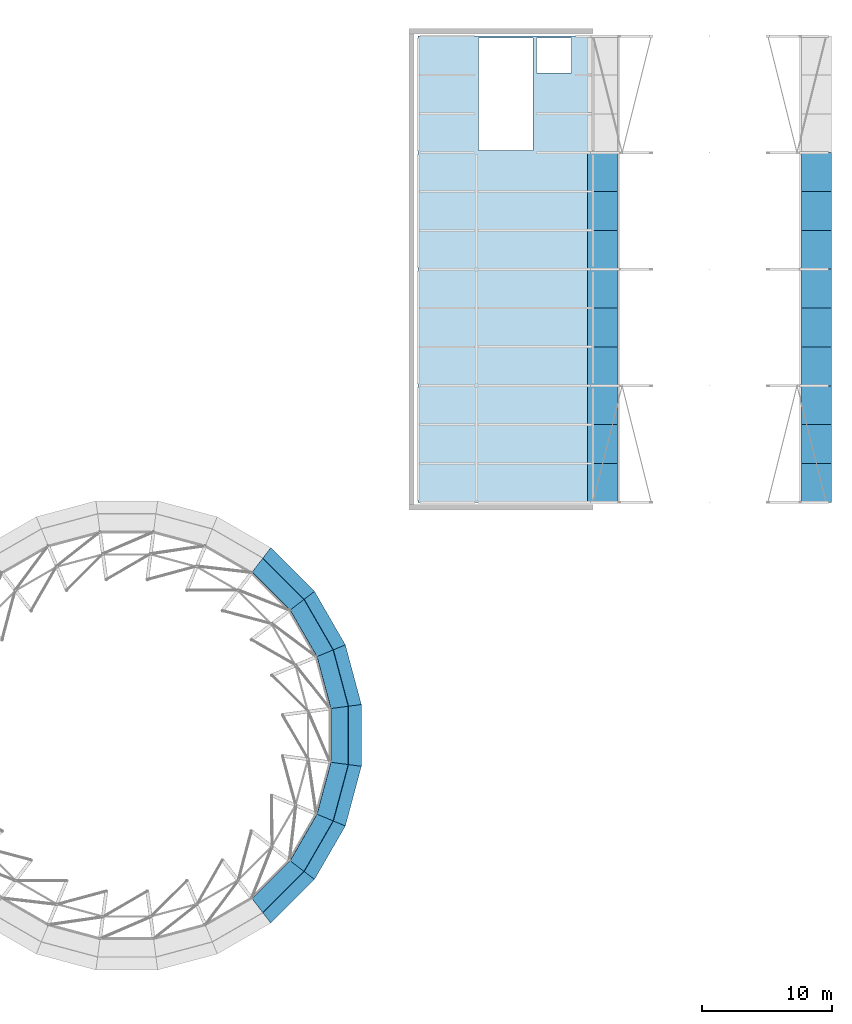
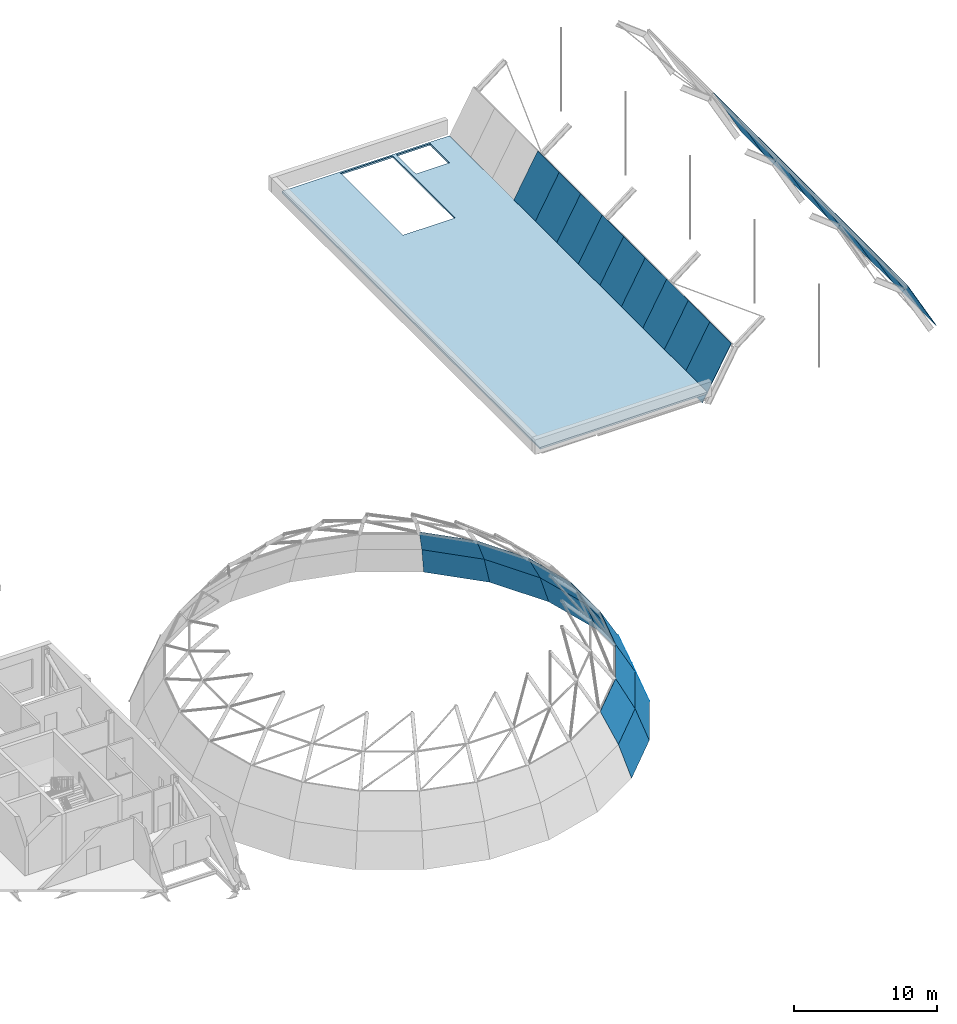
# One storey, part 30 of 62: 32 plates, 1 slab.
"""IFC4 building model written with IfcOpenShell, lengths in metres."""

from ifc_helpers import new_model, si_unit, direction, frame, origin, place, context, subcontext, project, spatial, polyline, outline, extrude, material, layer, layer_set, type_object, element, save


model = new_model("IFC4")

# Units and contexts
model_context = context("Model", 3, precision=1e-05, world=origin(), true_north=direction((0.0, 1.0)))
body_context = subcontext(model_context, "Body", "Model", "MODEL_VIEW")
ifc_project = project(units=[si_unit("LENGTHUNIT", "METRE"), si_unit("AREAUNIT", "SQUARE_METRE"), si_unit("VOLUMEUNIT", "CUBIC_METRE"), si_unit("PLANEANGLEUNIT", "RADIAN"), si_unit("MASSUNIT", "GRAM", prefix="KILO")], contexts=[model_context])

# Site, building, storey
site_placement = place(None, origin())
site = spatial("IfcSite", under=ifc_project, at=site_placement, CompositionType="ELEMENT")
building_placement = place(site_placement, origin())
building = spatial("IfcBuilding", under=site, at=building_placement, Name="Hortulan Conservatory and Botanical Research Centre", CompositionType="ELEMENT")
storey_placement = place(building_placement, frame((0.0, 0.0, 15.0)))
storey = spatial("IfcBuildingStorey", under=building, at=storey_placement, Name="L03", CompositionType="ELEMENT", Elevation=15.0)

# Plates
ifc_material_1 = material(Name="Low-e laminated glass", Category="glass")
ifc_layer_1 = layer(ifc_material_1, 0.030029296875)
ifc_layer_set_1 = layer_set([ifc_layer_1], Name="Dome Glazing Panel 30")
plate_type_1 = type_object("IfcPlateType", Name="Dome Glazing Panel 30", PredefinedType="SHEET", material=ifc_layer_set_1)
plate_1_placement = place(storey_placement, frame((72.114013671875, 20.384765625, -4.465576171875), z_axis=(0.903141987231, 0.242017154605, 0.354629733352), x_axis=(-0.258842152253, 0.965919634433, 5.90549e-06)))
element("IfcPlate", 1, at=plate_1_placement, inside=storey, type_object=plate_type_1, Name="Dome glazing panel", PredefinedType="SHEET", context=body_context, shape_type="SweptSolid", body=[
    extrude(outline(polyline([(0.0, 0.0), (4.769499088301798, -5.551115123125783e-17), (4.639265546523291, 2.79203130076673), (0.1304018144895492, 2.7920899027720325), (0.0, 0.0)])), origin(), (0.0, 0.0, -1.0), 0.030029296875),
])
plate_2_placement = place(storey_placement, frame((70.87939453125, 24.99169921875, -4.465576171875), z_axis=(0.809753337619, 0.467478600191, 0.354631203617), x_axis=(-0.499971321888, 0.866041960435, -7.435214e-06)))
element("IfcPlate", 2, at=plate_2_placement, inside=storey, type_object=plate_type_1, Name="Dome glazing panel", PredefinedType="SHEET", context=body_context, shape_type="SweptSolid", body=[
    extrude(outline(polyline([(0.0, 0.0), (4.769478473994549, 1.1102230246251565e-16), (4.639200867701932, 2.792099158679018), (0.1303604620591359, 2.792025377052627), (0.0, 0.0)])), origin(), (0.0, 0.0, -1.0), 0.030029296875),
])
for number, where, z_axis, x_axis, name in (
    (3, (68.494873046875, 29.122314453125, -4.465576171875), (0.661143112172, 0.661143112172, 0.354654156123), (-0.707106781187, 0.707106781187, 0.0), "Dome glazing panel"),
    (4, (65.122314453125, 3.505126953125, -4.465576171875), (0.661143112172, -0.661143112172, 0.354654156123), (0.707106781187, 0.707106781187, 0.0), "Dome glazing panel"),
):
    element("IfcPlate", number, at=place(storey_placement, frame(where, z_axis=z_axis, x_axis=x_axis)), inside=storey, type_object=plate_type_1, Name=name, PredefinedType="SHEET", context=body_context, shape_type="SweptSolid", body=[
        extrude(outline(polyline([(0.0, 0.0), (4.769518103179184, 0.0), (4.639007183604713, 2.792088264448074), (0.1305109195744702, 2.7920882644480742), (0.0, 0.0)])), origin(), (0.0, 0.0, -1.0), 0.030029296875),
    ])
plate_3_placement = place(storey_placement, frame((68.494873046875, 6.877685546875, -4.465576171875), z_axis=(0.809753337619, -0.467478600191, 0.354631203617), x_axis=(0.499971321888, 0.866041960435, 7.435214e-06)))
element("IfcPlate", 5, at=plate_3_placement, inside=storey, type_object=plate_type_1, Name="Dome glazing panel", PredefinedType="SHEET", context=body_context, shape_type="SweptSolid", body=[
    extrude(outline(polyline([(0.0, 0.0), (4.769478473994549, -1.1102230246251565e-16), (4.6391180119354125, 2.7920253770526267), (0.1302776062926165, 2.792099158679018), (0.0, 0.0)])), origin(), (0.0, 0.0, -1.0), 0.030029296875),
])
plate_4_placement = place(storey_placement, frame((70.87939453125, 11.00830078125, -4.465576171875), z_axis=(0.903141987231, -0.242017154605, 0.354629733352), x_axis=(0.258842152253, 0.965919634433, -5.90549e-06)))
element("IfcPlate", 6, at=plate_4_placement, inside=storey, type_object=plate_type_1, Name="Dome glazing panel", PredefinedType="SHEET", context=body_context, shape_type="SweptSolid", body=[
    extrude(outline(polyline([(0.0, 0.0), (4.769499088301798, 5.551115123125783e-17), (4.63909727381225, 2.7920899027720325), (0.13023354177850718, 2.79203130076673), (0.0, 0.0)])), origin(), (0.0, 0.0, -1.0), 0.030029296875),
])
plate_5_placement = place(storey_placement, frame((72.114013671875, 15.615234375, -4.465576171875), z_axis=(0.93499652648, 0.0, 0.354656870046), x_axis=(0.0, 1.0, 0.0)))
element("IfcPlate", 7, at=plate_5_placement, inside=storey, type_object=plate_type_1, Name="Dome glazing panel", PredefinedType="SHEET", context=body_context, shape_type="SweptSolid", body=[
    extrude(outline(polyline([(0.0, 0.0), (4.76953125, 0.0), (4.63916015625, 2.7920913385142603), (0.13037109375, 2.7920913385142603), (0.0, 0.0)])), origin(), (0.0, 0.0, -1.0), 0.030029296875),
])
plate_6_placement = place(storey_placement, frame((71.123779296875, 20.25439453125, -1.85498046875), z_axis=(0.843814176383, 0.22609905304, 0.486679415991), x_axis=(-0.25881947213, 0.965925711866, 1.337527e-06)))
element("IfcPlate", 8, at=plate_6_placement, inside=storey, type_object=plate_type_1, Name="Dome glazing panel", PredefinedType="SHEET", context=body_context, shape_type="SweptSolid", body=[
    extrude(outline(polyline([(0.0, 0.0), (4.508863733097076, 0.0), (4.330172438166227, 2.789115870827767), (0.17870898253895498, 2.7891291305358745), (0.0, 0.0)])), origin(), (0.0, 0.0, -1.0), 0.030029296875),
])
plate_7_placement = place(storey_placement, frame((69.956787109375, 24.609619140625, -1.85498046875), z_axis=(0.756546229352, 0.436787237102, 0.486677215779), x_axis=(-0.499995419968, 0.86602804805, -7.16473e-07)))
element("IfcPlate", 9, at=plate_7_placement, inside=storey, type_object=plate_type_1, Name="Dome glazing panel", PredefinedType="SHEET", context=body_context, shape_type="SweptSolid", body=[
    extrude(outline(polyline([(0.0, 0.0), (4.508840407350451, -1.1102230246251565e-16), (4.330093512086589, 2.7891221385238065), (0.17870432845314543, 2.789115035793432), (0.0, 0.0)])), origin(), (0.0, 0.0, -1.0), 0.030029296875),
])
for number, where, z_axis, x_axis, name in (
    (10, (67.702392578125, 28.514404296875, -1.85498046875), (0.617713868481, 0.617713868481, 0.486681778344), (-0.707106781187, 0.707106781187, 0.0), "Dome glazing panel"),
    (11, (64.514404296875, 4.297607421875, -1.85498046875), (0.617713868481, -0.617713868481, 0.486681778344), (0.707106781187, 0.707106781187, 0.0), "Dome glazing panel"),
):
    element("IfcPlate", number, at=place(storey_placement, frame(where, z_axis=z_axis, x_axis=x_axis)), inside=storey, type_object=plate_type_1, Name=name, PredefinedType="SHEET", context=body_context, shape_type="SweptSolid", body=[
        extrude(outline(polyline([(0.0, 0.0), (4.508496264030243, 0.0), (4.3298206003271, 2.7891267026462576), (0.1786756637031437, 2.789126702646257), (0.0, 0.0)])), origin(), (0.0, 0.0, -1.0), 0.030029296875),
    ])
plate_8_placement = place(storey_placement, frame((67.702392578125, 7.485595703125, -1.85498046875), z_axis=(0.756546229352, -0.436787237102, 0.486677215779), x_axis=(0.499995419968, 0.86602804805, 7.16473e-07)))
element("IfcPlate", 12, at=plate_8_placement, inside=storey, type_object=plate_type_1, Name="Dome glazing panel", PredefinedType="SHEET", context=body_context, shape_type="SweptSolid", body=[
    extrude(outline(polyline([(0.0, 0.0), (4.508840407350451, 1.1102230246251565e-16), (4.330136078897306, 2.789115035793432), (0.17874689526386317, 2.7891221385238065), (0.0, 0.0)])), origin(), (0.0, 0.0, -1.0), 0.030029296875),
])
plate_9_placement = place(storey_placement, frame((69.956787109375, 11.390380859375, -1.85498046875), z_axis=(0.843814176383, -0.22609905304, 0.486679415991), x_axis=(0.25881947213, 0.965925711866, -1.337527e-06)))
element("IfcPlate", 13, at=plate_9_placement, inside=storey, type_object=plate_type_1, Name="Dome glazing panel", PredefinedType="SHEET", context=body_context, shape_type="SweptSolid", body=[
    extrude(outline(polyline([(0.0, 0.0), (4.508863733097076, 0.0), (4.330154750558121, 2.7891291305358745), (0.17869129493085006, 2.789115870827767), (0.0, 0.0)])), origin(), (0.0, 0.0, -1.0), 0.030029296875),
])
plate_10_placement = place(storey_placement, frame((71.123779296875, 15.74560546875, -1.85498046875), z_axis=(0.873578609261, 0.0, 0.486683072895), x_axis=(0.0, 1.0, 0.0)))
element("IfcPlate", 14, at=plate_10_placement, inside=storey, type_object=plate_type_1, Name="Dome glazing panel", PredefinedType="SHEET", context=body_context, shape_type="SweptSolid", body=[
    extrude(outline(polyline([(0.0, 0.0), (4.5087890625, 0.0), (4.330078125, 2.7891290053017146), (0.1787109375, 2.7891290053017146), (0.0, 0.0)])), origin(), (0.0, 0.0, -1.0), 0.030029296875),
])

# Slab
ifc_material_2 = material(Name="Concrete N32 (32 MPa, AS 3600)", Category="concrete")
ifc_layer_2 = layer(ifc_material_2, 0.14990234375)
ifc_layer_set_2 = layer_set([ifc_layer_2], Name="Roof Slab 150")
slab_type = type_object("IfcSlabType", Name="Roof Slab 150", PredefinedType="ROOF", material=ifc_layer_set_2)
slab_placement = place(storey_placement, frame((0.0, 0.0, -0.14990234375)))
element("IfcSlab", 15, at=slab_placement, inside=storey, type_object=slab_type, Name="Roof slab", PredefinedType="ROOF", context=body_context, shape_type="SweptSolid", body=[
    extrude(outline(polyline([(76.5, 36.0), (90.0, 36.0), (90.0, 72.0), (76.5, 72.0), (76.5, 36.0)]), holes=[polyline([(81.14990234375, 63.14990234375), (85.35009765625, 63.14990234375), (85.35009765625, 71.85009765625), (81.14990234375, 71.85009765625), (81.14990234375, 63.14990234375)]), polyline([(85.64990234375, 69.14990234375), (88.35009765625, 69.14990234375), (88.35009765625, 71.85009765625), (85.64990234375, 71.85009765625), (85.64990234375, 69.14990234375)])]), origin(), (0.0, 0.0, 1.0), 0.14990234375),
])

# Plates
ifc_material_3 = material(Name="Verdigris copper-green zinc sheet on timber decking", Category="wood")
ifc_layer_3 = layer(ifc_material_3, 0.0400390625)
ifc_layer_set_3 = layer_set([ifc_layer_3], Name="Vault Roof Zinc Panel 40")
plate_type_2 = type_object("IfcPlateType", Name="Vault Roof Zinc Panel 40", PredefinedType="SHEET", material=ifc_layer_set_3)
for number, where, z_axis, x_axis, name in (
    (16, (89.5673828125, 36.0, -0.76220703125), (-0.876211659752, 0.0, 0.481926475009), (0.481926475009, 0.0, 0.876211659752), "Vault roof panel"),
    (17, (89.5673828125, 39.0, -0.76220703125), (-0.876211659752, 0.0, 0.481926475009), (0.481926475009, 0.0, 0.876211659752), "Vault roof panel"),
    (18, (89.5673828125, 42.0, -0.76220703125), (-0.876211659752, 0.0, 0.481926475009), (0.481926475009, 0.0, 0.876211659752), "Vault roof panel"),
    (19, (106.093994140625, 36.0, 3.48974609375), (0.876211659752, 0.0, 0.481926475009), (0.481926475009, 0.0, -0.876211659752), "Vault roof panel"),
    (20, (106.093994140625, 39.0, 3.48974609375), (0.876211659752, 0.0, 0.481926475009), (0.481926475009, 0.0, -0.876211659752), "Vault roof panel"),
    (21, (106.093994140625, 42.0, 3.48974609375), (0.876211659752, 0.0, 0.481926475009), (0.481926475009, 0.0, -0.876211659752), "Vault roof panel"),
    (22, (89.5673828125, 45.0, -0.76220703125), (-0.876211659752, 0.0, 0.481926475009), (0.481926475009, 0.0, 0.876211659752), "Vault roof panel"),
    (23, (89.5673828125, 48.0, -0.76220703125), (-0.876211659752, 0.0, 0.481926475009), (0.481926475009, 0.0, 0.876211659752), "Vault roof panel"),
    (24, (89.5673828125, 51.0, -0.76220703125), (-0.876211659752, 0.0, 0.481926475009), (0.481926475009, 0.0, 0.876211659752), "Vault roof panel"),
    (25, (106.093994140625, 45.0, 3.48974609375), (0.876211659752, 0.0, 0.481926475009), (0.481926475009, 0.0, -0.876211659752), "Vault roof panel"),
    (26, (106.093994140625, 48.0, 3.48974609375), (0.876211659752, 0.0, 0.481926475009), (0.481926475009, 0.0, -0.876211659752), "Vault roof panel"),
    (27, (106.093994140625, 51.0, 3.48974609375), (0.876211659752, 0.0, 0.481926475009), (0.481926475009, 0.0, -0.876211659752), "Vault roof panel"),
    (28, (89.5673828125, 54.0, -0.76220703125), (-0.876211659752, 0.0, 0.481926475009), (0.481926475009, 0.0, 0.876211659752), "Vault roof panel"),
    (29, (89.5673828125, 57.0, -0.76220703125), (-0.876211659752, 0.0, 0.481926475009), (0.481926475009, 0.0, 0.876211659752), "Vault roof panel"),
    (30, (89.5673828125, 60.0, -0.76220703125), (-0.876211659752, 0.0, 0.481926475009), (0.481926475009, 0.0, 0.876211659752), "Vault roof panel"),
    (31, (106.093994140625, 54.0, 3.48974609375), (0.876211659752, 0.0, 0.481926475009), (0.481926475009, 0.0, -0.876211659752), "Vault roof panel"),
    (32, (106.093994140625, 57.0, 3.48974609375), (0.876211659752, 0.0, 0.481926475009), (0.481926475009, 0.0, -0.876211659752), "Vault roof panel"),
    (33, (106.093994140625, 60.0, 3.48974609375), (0.876211659752, 0.0, 0.481926475009), (0.481926475009, 0.0, -0.876211659752), "Vault roof panel"),
):
    element("IfcPlate", number, at=place(storey_placement, frame(where, z_axis=z_axis, x_axis=x_axis)), inside=storey, type_object=plate_type_2, Name=name, PredefinedType="SHEET", context=body_context, shape_type="SweptSolid", body=[
        extrude(outline(polyline([(0.0, 0.0), (4.8526552661993385, 0.0), (4.8526552661993385, 3.0), (0.0, 3.0), (0.0, 0.0)])), origin(), (0.0, 0.0, -1.0), 0.0400390625),
    ])

save(model, "model.ifc")
